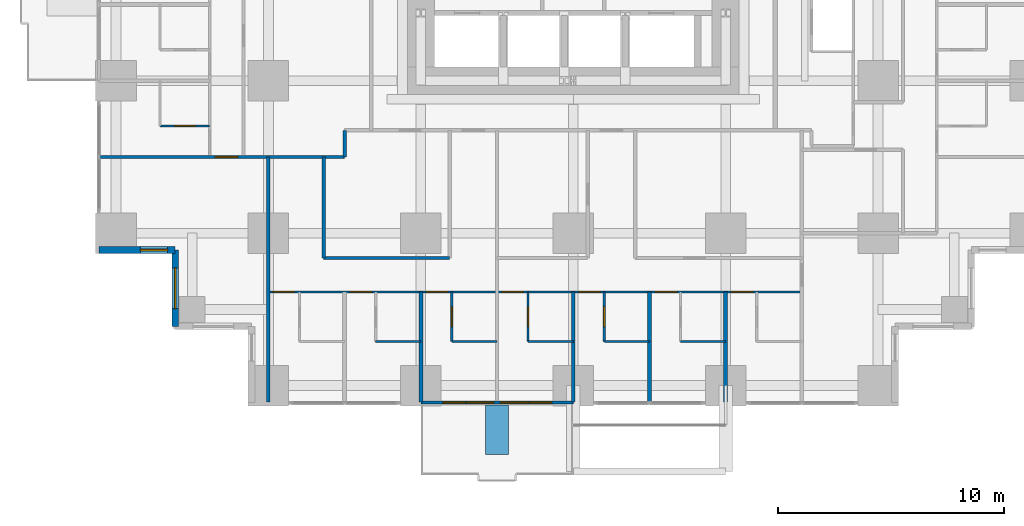
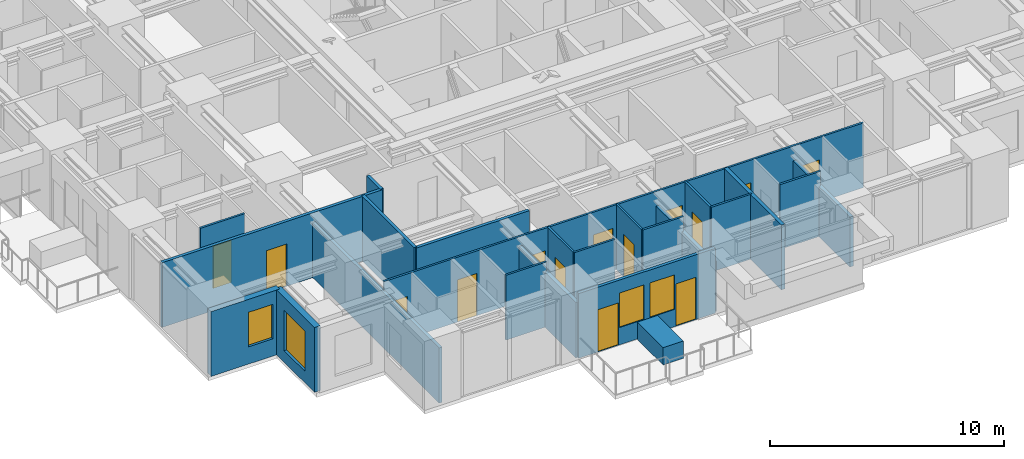
# One storey, part 8 of 15: 23 walls, 14 doors, 4 windows, 18 openings.
"""IFC4 building model written with IfcOpenShell, lengths in metres."""

from ifc_helpers import new_model, si_unit, direction, frame, frame_2d, origin, place, context, subcontext, project, spatial, rectangle, extrude, material, layer, layer_set, type_object, element, fill, save


model = new_model("IFC4")

# Units and contexts
model_context = context("Model", 3, precision=1e-05, world=origin(), true_north=direction((0.0, 1.0)))
body_context = subcontext(model_context, "Body", "Model", "MODEL_VIEW")
ifc_project = project(units=[si_unit("LENGTHUNIT", "METRE"), si_unit("AREAUNIT", "SQUARE_METRE"), si_unit("VOLUMEUNIT", "CUBIC_METRE"), si_unit("PLANEANGLEUNIT", "RADIAN"), si_unit("MASSUNIT", "GRAM", prefix="KILO")], contexts=[model_context])

# Site, building, storey
site_placement = place(None, origin())
site = spatial("IfcSite", under=ifc_project, at=site_placement, CompositionType="ELEMENT")
building_placement = place(site_placement, origin())
building = spatial("IfcBuilding", under=site, at=building_placement, Name="Nyansa Garden Tower", CompositionType="ELEMENT")
storey_placement = place(building_placement, frame((0.0, 0.0, 61.199951171875)))
storey = spatial("IfcBuildingStorey", under=building, at=storey_placement, Name="L16", CompositionType="ELEMENT", Elevation=61.199951171875)

# Walls
ifc_material_1 = material(Name="Dense blockwork, plastered both sides, 55 dB", Category="masonry")
ifc_layer_1 = layer(ifc_material_1, 0.175048828125)
ifc_layer_set_1 = layer_set([ifc_layer_1], Name="Acoustic party wall PW175")
wall_type_1 = type_object("IfcWallType", Name="Acoustic party wall PW175", PredefinedType="PARTITIONING", material=ifc_layer_set_1)
wall_1_placement = place(storey_placement, frame((13.5, -0.73388671875, 0.0), z_axis=(0.0, 0.0, 1.0), x_axis=(0.0, 1.0, 0.0)))
element("IfcWall", 1, at=wall_1_placement, inside=storey, type_object=wall_type_1, Name="Party wall", PredefinedType="PARTITIONING", context=body_context, shape_type="SweptSolid", body=[
    extrude(rectangle(XDim=4.8837890625, YDim=0.175048828125, at=frame_2d((2.44189453125, 0.0))), origin(), (0.0, 0.0, 1.0), 2.876953125),
])
wall_2_placement = place(storey_placement, frame((20.25, -0.73388671875, 0.0), z_axis=(0.0, 0.0, 1.0), x_axis=(0.0, 1.0, 0.0)))
element("IfcWall", 2, at=wall_2_placement, inside=storey, type_object=wall_type_1, Name="Party wall", PredefinedType="PARTITIONING", context=body_context, shape_type="SweptSolid", body=[
    extrude(rectangle(XDim=4.8837890625, YDim=0.175048828125, at=frame_2d((2.44189453125, 0.0))), origin(), (0.0, 0.0, 1.0), 2.610107421875),
])
wall_3_placement = place(storey_placement, frame((23.625, -0.73388671875, 0.0), z_axis=(0.0, 0.0, 1.0), x_axis=(0.0, 1.0, 0.0)))
element("IfcWall", 3, at=wall_3_placement, inside=storey, type_object=wall_type_1, Name="Party wall", PredefinedType="PARTITIONING", context=body_context, shape_type="SweptSolid", body=[
    extrude(rectangle(XDim=4.8837890625, YDim=0.175048828125, at=frame_2d((2.44189453125, 0.0))), origin(), (0.0, 0.0, 1.0), 3.375),
])
wall_4_placement = place(storey_placement, frame((27.0, -0.73388671875, 0.0), z_axis=(0.0, 0.0, 1.0), x_axis=(0.0, 1.0, 0.0)))
element("IfcWall", 4, at=wall_4_placement, inside=storey, type_object=wall_type_1, Name="Party wall", PredefinedType="PARTITIONING", context=body_context, shape_type="SweptSolid", body=[
    extrude(rectangle(XDim=4.8837890625, YDim=0.175048828125, at=frame_2d((2.44189453125, 0.0))), origin(), (0.0, 0.0, 1.0), 2.610107421875),
])

# Wall, openings, doors, windows
ifc_material_2 = material(Name="Black aluminium framed glazed screen", Category="aluminium")
ifc_layer_2 = layer(ifc_material_2, 0.14990234375)
ifc_layer_set_2 = layer_set([ifc_layer_2], Name="Balcony screen wall BW150")
wall_type_2 = type_object("IfcWallType", Name="Balcony screen wall BW150", PredefinedType="SOLIDWALL", material=ifc_layer_set_2)
wall_5_placement = place(storey_placement, frame((20.25, -0.75, 0.0), z_axis=(0.0, 0.0, 1.0), x_axis=(-1.0, 0.0, 0.0)))
wall_5 = element("IfcWall", 5, at=wall_5_placement, inside=storey, type_object=wall_type_2, Name="Glazed screen wall L16 S", PredefinedType="SOLIDWALL", context=body_context, shape_type="SweptSolid", body=[
    extrude(rectangle(XDim=6.75, YDim=0.14990234375, at=frame_2d((3.375, 0.0))), origin(), (0.0, 0.0, 1.0), 3.375),
])
opening_1_placement = place(wall_5_placement, frame((0.96240234375, 0.0, 0.0)))
opening_1 = element("IfcOpeningElement", 6, at=opening_1_placement, cuts=wall_5, Name="Opening D20", PredefinedType="OPENING", context=body_context, shape_type="SweptSolid", body=[
    extrude(rectangle(XDim=1.0, YDim=2.199951171875, at=frame_2d((0.5, 1.10009765625))), frame((0.0, 0.0849609375, 0.0), z_axis=(0.0, -1.0, 0.0), x_axis=(1.0, 0.0, 0.0)), (0.0, 0.0, 1.0), 0.169921875),
])
opening_2_placement = place(wall_5_placement, frame((2.02490234375, 0.0, 0.89990234375)))
opening_2 = element("IfcOpeningElement", 7, at=opening_2_placement, cuts=wall_5, Name="Opening W6", PredefinedType="OPENING", context=body_context, shape_type="SweptSolid", body=[
    extrude(rectangle(XDim=1.199951171875, YDim=1.800048828125, at=frame_2d((0.60009765625, 0.89990234375))), frame((0.0, 0.0849609375, 0.0), z_axis=(0.0, -1.0, 0.0), x_axis=(1.0, 0.0, 0.0)), (0.0, 0.0, 1.0), 0.169921875),
])
opening_3_placement = place(wall_5_placement, frame((4.78759765625, 0.0, 0.0)))
opening_3 = element("IfcOpeningElement", 8, at=opening_3_placement, cuts=wall_5, Name="Opening D20", PredefinedType="OPENING", context=body_context, shape_type="SweptSolid", body=[
    extrude(rectangle(XDim=1.0, YDim=2.199951171875, at=frame_2d((0.5, 1.10009765625))), frame((0.0, 0.0849609375, 0.0), z_axis=(0.0, -1.0, 0.0), x_axis=(1.0, 0.0, 0.0)), (0.0, 0.0, 1.0), 0.169921875),
])
opening_4_placement = place(wall_5_placement, frame((3.52490234375, 0.0, 0.89990234375)))
opening_4 = element("IfcOpeningElement", 9, at=opening_4_placement, cuts=wall_5, Name="Opening W6", PredefinedType="OPENING", context=body_context, shape_type="SweptSolid", body=[
    extrude(rectangle(XDim=1.199951171875, YDim=1.800048828125, at=frame_2d((0.60009765625, 0.89990234375))), frame((0.0, 0.0849609375, 0.0), z_axis=(0.0, -1.0, 0.0), x_axis=(1.0, 0.0, 0.0)), (0.0, 0.0, 1.0), 0.169921875),
])
ifc_material_3 = material(Name="Black aluminium framed glazed door", Category="aluminium")
door_type_1 = type_object("IfcDoorType", Name="Balcony door D20 1000x2200", OperationType="NOTDEFINED", PredefinedType="DOOR", material=ifc_material_3)
door_1_placement = place(opening_1_placement, origin())
door_1 = element("IfcDoor", 10, at=door_1_placement, inside=storey, type_object=door_type_1, Name="Balcony door L16", OperationType="SINGLE_SWING_LEFT", OverallHeight=2.199951171875, OverallWidth=1.0, PredefinedType="DOOR", context=body_context, shape_type="SweptSolid", body=[
    extrude(rectangle(XDim=1.0, YDim=2.199951171875, at=frame_2d((0.5, 1.10009765625))), frame((0.0, 0.02490234375, 0.0), z_axis=(0.0, -1.0, 0.0), x_axis=(1.0, 0.0, 0.0)), (0.0, 0.0, 1.0), 0.050048828125),
])
fill(opening_1, door_1)
door_2_placement = place(opening_3_placement, origin())
door_2 = element("IfcDoor", 11, at=door_2_placement, inside=storey, type_object=door_type_1, Name="Balcony door L16", OperationType="SINGLE_SWING_RIGHT", OverallHeight=2.199951171875, OverallWidth=1.0, PredefinedType="DOOR", context=body_context, shape_type="SweptSolid", body=[
    extrude(rectangle(XDim=1.0, YDim=2.199951171875, at=frame_2d((0.5, 1.10009765625))), frame((0.0, 0.02490234375, 0.0), z_axis=(0.0, -1.0, 0.0), x_axis=(1.0, 0.0, 0.0)), (0.0, 0.0, 1.0), 0.050048828125),
])
fill(opening_3, door_2)
ifc_material_4 = material(Name="Black aluminium frame, dark tinted double glazing", Category="aluminium")
window_type_1 = type_object("IfcWindowType", Name="Balcony window W6 1200x1800", PartitioningType="SINGLE_PANEL", PredefinedType="WINDOW", material=ifc_material_4)
window_1_placement = place(opening_2_placement, origin())
window_1 = element("IfcWindow", 12, at=window_1_placement, inside=storey, type_object=window_type_1, Name="Window L16", OverallHeight=1.800048828125, OverallWidth=1.199951171875, PartitioningType="SINGLE_PANEL", PredefinedType="WINDOW", context=body_context, shape_type="SweptSolid", body=[
    extrude(rectangle(XDim=1.199951171875, YDim=1.800048828125, at=frame_2d((0.60009765625, 0.89990234375))), frame((0.0, 0.030029296875, 0.0), z_axis=(0.0, -1.0, 0.0), x_axis=(1.0, 0.0, 0.0)), (0.0, 0.0, 1.0), 0.06005859375),
])
fill(opening_2, window_1)
window_2_placement = place(opening_4_placement, origin())
window_2 = element("IfcWindow", 13, at=window_2_placement, inside=storey, type_object=window_type_1, Name="Window L16", OverallHeight=1.800048828125, OverallWidth=1.199951171875, PartitioningType="SINGLE_PANEL", PredefinedType="WINDOW", context=body_context, shape_type="SweptSolid", body=[
    extrude(rectangle(XDim=1.199951171875, YDim=1.800048828125, at=frame_2d((0.60009765625, 0.89990234375))), frame((0.0, 0.030029296875, 0.0), z_axis=(0.0, -1.0, 0.0), x_axis=(1.0, 0.0, 0.0)), (0.0, 0.0, 1.0), 0.06005859375),
])
fill(opening_4, window_2)

# Wall, opening, door
ifc_material_5 = material(Name="Blockwork, plastered both sides", Category="masonry")
ifc_layer_3 = layer(ifc_material_5, 0.14990234375)
ifc_layer_set_3 = layer_set([ifc_layer_3], Name="Partition PW150")
wall_type_3 = type_object("IfcWallType", Name="Partition PW150", PredefinedType="PARTITIONING", material=ifc_layer_set_3)
wall_6_placement = place(storey_placement, frame((-0.73388671875, 10.125, 0.0), z_axis=(0.0, 0.0, 1.0), x_axis=(1.0, 0.0, 0.0)))
wall_6 = element("IfcWall", 14, at=wall_6_placement, inside=storey, type_object=wall_type_3, Name="Partition", PredefinedType="PARTITIONING", context=body_context, shape_type="SweptSolid", body=[
    extrude(rectangle(XDim=10.85888671875, YDim=0.14990234375, at=frame_2d((5.429443359375, 0.0))), origin(), (0.0, 0.0, 1.0), 3.375),
])
opening_5_placement = place(wall_6_placement, frame((5.134033203125, 0.0, 0.0)))
opening_5 = element("IfcOpeningElement", 15, at=opening_5_placement, cuts=wall_6, Name="Opening D03", PredefinedType="OPENING", context=body_context, shape_type="SweptSolid", body=[
    extrude(rectangle(XDim=1.0, YDim=2.199951171875, at=frame_2d((0.5, 1.10009765625))), frame((0.0, 0.0849609375, 0.0), z_axis=(0.0, -1.0, 0.0), x_axis=(1.0, 0.0, 0.0)), (0.0, 0.0, 1.0), 0.169921875),
])
ifc_material_6 = material(Name="Timber flush door, 60 minute fire resisting", Category="wood")
door_type_2 = type_object("IfcDoorType", Name="Cluster entrance door D03 1000x2200", OperationType="SINGLE_SWING_LEFT", PredefinedType="DOOR", material=ifc_material_6)
door_3_placement = place(opening_5_placement, origin())
door_3 = element("IfcDoor", 16, at=door_3_placement, inside=storey, type_object=door_type_2, Name="Door L16-017", OperationType="SINGLE_SWING_LEFT", OverallHeight=2.199951171875, OverallWidth=1.0, PredefinedType="DOOR", context=body_context, shape_type="SweptSolid", body=[
    extrude(rectangle(XDim=1.0, YDim=2.199951171875, at=frame_2d((0.5, 1.10009765625))), frame((0.0, 0.02490234375, 0.0), z_axis=(0.0, -1.0, 0.0), x_axis=(1.0, 0.0, 0.0)), (0.0, 0.0, 1.0), 0.050048828125),
])
fill(opening_5, door_3)

# Walls
wall_7_placement = place(storey_placement, frame((6.75, -0.73388671875, 0.0), z_axis=(0.0, 0.0, 1.0), x_axis=(0.0, 1.0, 0.0)))
element("IfcWall", 17, at=wall_7_placement, inside=storey, type_object=wall_type_3, Name="Partition", PredefinedType="PARTITIONING", context=body_context, shape_type="SweptSolid", body=[
    extrude(rectangle(XDim=10.85888671875, YDim=0.14990234375, at=frame_2d((5.429443359375, 0.0))), origin(), (0.0, 0.0, 1.0), 2.876953125),
])
wall_8_placement = place(storey_placement, frame((9.199951171875, 5.64990234375, 0.0), z_axis=(0.0, 0.0, 1.0), x_axis=(0.0, 1.0, 0.0)))
element("IfcWall", 18, at=wall_8_placement, inside=storey, type_object=wall_type_3, Name="Partition", PredefinedType="PARTITIONING", context=body_context, shape_type="SweptSolid", body=[
    extrude(rectangle(XDim=4.47509765625, YDim=0.14990234375, at=frame_2d((2.237548828125, 0.0))), origin(), (0.0, 0.0, 1.0), 3.375),
])
wall_9_placement = place(storey_placement, frame((9.199951171875, 5.64990234375, 0.0), z_axis=(0.0, 0.0, 1.0), x_axis=(1.0, 0.0, 0.0)))
element("IfcWall", 19, at=wall_9_placement, inside=storey, type_object=wall_type_3, Name="Partition", PredefinedType="PARTITIONING", context=body_context, shape_type="SweptSolid", body=[
    extrude(rectangle(XDim=5.574951171875, YDim=0.14990234375, at=frame_2d((2.78759765625, 0.0))), origin(), (0.0, 0.0, 1.0), 3.375),
])
wall_10_placement = place(storey_placement, frame((10.125, 10.125, 0.0), z_axis=(0.0, 0.0, 1.0), x_axis=(0.0, 1.0, 0.0)))
element("IfcWall", 20, at=wall_10_placement, inside=storey, type_object=wall_type_3, Name="Partition", PredefinedType="PARTITIONING", context=body_context, shape_type="SweptSolid", body=[
    extrude(rectangle(XDim=1.175048828125, YDim=0.14990234375, at=frame_2d((0.58740234375, 0.0))), origin(), (0.0, 0.0, 1.0), 3.375),
])

# Wall, opening, window
ifc_material_7 = material(Name="Turquoise glazed tile on concrete blockwork", Category="masonry")
ifc_layer_4 = layer(ifc_material_7, 0.300048828125)
ifc_layer_set_4 = layer_set([ifc_layer_4], Name="Tiled corner wall TW300")
wall_type_4 = type_object("IfcWallType", Name="Tiled corner wall TW300", PredefinedType="SOLIDWALL", material=ifc_layer_set_4)
wall_11_placement = place(storey_placement, frame((-0.75, 6.0, 0.0), z_axis=(0.0, 0.0, 1.0), x_axis=(1.0, 0.0, 0.0)))
wall_11 = element("IfcWall", 21, at=wall_11_placement, inside=storey, type_object=wall_type_4, Name="Tiled corner wall L16", PredefinedType="SOLIDWALL", context=body_context, shape_type="SweptSolid", body=[
    extrude(rectangle(XDim=3.375, YDim=0.300048828125, at=frame_2d((1.6875, 0.0))), origin(), (0.0, 0.0, 1.0), 3.375),
])
opening_6_placement = place(wall_11_placement, frame((1.83251953125, 0.0, 0.89990234375)))
opening_6 = element("IfcOpeningElement", 22, at=opening_6_placement, cuts=wall_11, Name="Opening W4", PredefinedType="OPENING", context=body_context, shape_type="SweptSolid", body=[
    extrude(rectangle(XDim=1.199951171875, YDim=1.800048828125, at=frame_2d((0.60009765625, 0.89990234375))), frame((0.0, 0.159912109375, 0.0), z_axis=(0.0, -1.0, 0.0), x_axis=(1.0, 0.0, 0.0)), (0.0, 0.0, 1.0), 0.320068359375),
])
ifc_material_8 = material(Name="Black aluminium frame, dark tinted double glazing", Category="aluminium")
window_type_2 = type_object("IfcWindowType", Name="Window W4 1200x1800", PartitioningType="SINGLE_PANEL", PredefinedType="WINDOW", material=ifc_material_8)
window_3_placement = place(opening_6_placement, origin())
window_3 = element("IfcWindow", 23, at=window_3_placement, inside=storey, type_object=window_type_2, Name="Corner window L16", OverallHeight=1.800048828125, OverallWidth=1.199951171875, PartitioningType="SINGLE_PANEL", PredefinedType="WINDOW", context=body_context, shape_type="SweptSolid", body=[
    extrude(rectangle(XDim=1.199951171875, YDim=1.800048828125, at=frame_2d((0.60009765625, 0.89990234375))), frame((0.0, 0.030029296875, 0.0), z_axis=(0.0, -1.0, 0.0), x_axis=(1.0, 0.0, 0.0)), (0.0, 0.0, 1.0), 0.06005859375),
])
fill(opening_6, window_3)

wall_12_placement = place(storey_placement, frame((2.625, 6.0, 0.0), z_axis=(0.0, 0.0, 1.0), x_axis=(0.0, -1.0, 0.0)))
wall_12 = element("IfcWall", 24, at=wall_12_placement, inside=storey, type_object=wall_type_4, Name="Tiled corner wall L16", PredefinedType="SOLIDWALL", context=body_context, shape_type="SweptSolid", body=[
    extrude(rectangle(XDim=3.375, YDim=0.300048828125, at=frame_2d((1.6875, 0.0))), origin(), (0.0, 0.0, 1.0), 3.375),
])
opening_7_placement = place(wall_12_placement, frame((0.78759765625, 0.0, 0.60009765625)))
opening_7 = element("IfcOpeningElement", 25, at=opening_7_placement, cuts=wall_12, Name="Opening W2", PredefinedType="OPENING", context=body_context, shape_type="SweptSolid", body=[
    extrude(rectangle(XDim=1.800048828125, YDim=2.10009765625, at=frame_2d((0.89990234375, 1.050048828125))), frame((0.0, 0.159912109375, 0.0), z_axis=(0.0, -1.0, 0.0), x_axis=(1.0, 0.0, 0.0)), (0.0, 0.0, 1.0), 0.320068359375),
])
ifc_material_9 = material(Name="Black aluminium frame, dark tinted double glazing", Category="aluminium")
window_type_3 = type_object("IfcWindowType", Name="Window W2 1800x2100", PartitioningType="SINGLE_PANEL", PredefinedType="WINDOW", material=ifc_material_9)
window_4_placement = place(opening_7_placement, origin())
window_4 = element("IfcWindow", 26, at=window_4_placement, inside=storey, type_object=window_type_3, Name="Corner window L16", OverallHeight=2.10009765625, OverallWidth=1.800048828125, PartitioningType="SINGLE_PANEL", PredefinedType="WINDOW", context=body_context, shape_type="SweptSolid", body=[
    extrude(rectangle(XDim=1.800048828125, YDim=2.10009765625, at=frame_2d((0.89990234375, 1.050048828125))), frame((0.0, 0.030029296875, 0.0), z_axis=(0.0, -1.0, 0.0), x_axis=(1.0, 0.0, 0.0)), (0.0, 0.0, 1.0), 0.06005859375),
])
fill(opening_7, window_4)

# Wall
ifc_material_10 = material(Name="Concrete C40/50 planter, waterproofed", Category="concrete")
ifc_layer_5 = layer(ifc_material_10, 1.0)
ifc_layer_set_5 = layer_set([ifc_layer_5], Name="Tree planter TP1")
wall_type_5 = type_object("IfcWallType", Name="Tree planter TP1", PredefinedType="USERDEFINED", material=ifc_layer_set_5)
wall_13_placement = place(storey_placement, frame((16.875, -0.85009765625, 0.0), z_axis=(0.0, 0.0, 1.0), x_axis=(0.0, -1.0, 0.0)))
element("IfcWall", 27, at=wall_13_placement, inside=storey, type_object=wall_type_5, Name="Tree planter L16", ObjectType="TREE PLANTER", PredefinedType="USERDEFINED", context=body_context, shape_type="SweptSolid", body=[
    extrude(rectangle(XDim=2.199951171875, YDim=1.0, at=frame_2d((1.10009765625, 0.0))), origin(), (0.0, 0.0, 1.0), 0.900146484375),
])

# Wall, opening, door
ifc_material_11 = material(Name="Moisture resistant board on steel studs, tiled", Category="steel")
ifc_layer_6 = layer(ifc_material_11, 0.10009765625)
ifc_layer_set_6 = layer_set([ifc_layer_6], Name="Wet wall PW100")
wall_type_6 = type_object("IfcWallType", Name="Wet wall PW100", PredefinedType="PARTITIONING", material=ifc_layer_set_6)
wall_14_placement = place(storey_placement, frame((1.949951171875, 11.5, 0.0), z_axis=(0.0, 0.0, 1.0), x_axis=(1.0, 0.0, 0.0)))
wall_14 = element("IfcWall", 28, at=wall_14_placement, inside=storey, type_object=wall_type_6, Name="Wet wall", PredefinedType="PARTITIONING", context=body_context, shape_type="SweptSolid", body=[
    extrude(rectangle(XDim=2.199951171875, YDim=0.10009765625, at=frame_2d((1.10009765625, 0.0))), origin(), (0.0, 0.0, 1.0), 3.375),
])
opening_8_placement = place(wall_14_placement, frame((0.64990234375, 0.0, 0.0)))
opening_8 = element("IfcOpeningElement", 29, at=opening_8_placement, cuts=wall_14, Name="Opening D02", PredefinedType="OPENING", context=body_context, shape_type="SweptSolid", body=[
    extrude(rectangle(XDim=0.89990234375, YDim=2.199951171875, at=frame_2d((0.449951171875, 1.10009765625))), frame((0.0, 0.06005859375, 0.0), z_axis=(0.0, -1.0, 0.0), x_axis=(1.0, 0.0, 0.0)), (0.0, 0.0, 1.0), 0.1201171875),
])
ifc_material_12 = material(Name="Timber flush door", Category="wood")
door_type_3 = type_object("IfcDoorType", Name="En-suite door D02 900x2200", OperationType="SINGLE_SWING_RIGHT", PredefinedType="DOOR", material=ifc_material_12)
door_4_placement = place(opening_8_placement, origin())
door_4 = element("IfcDoor", 30, at=door_4_placement, inside=storey, type_object=door_type_3, Name="Door L16-070", OperationType="SINGLE_SWING_RIGHT", OverallHeight=2.199951171875, OverallWidth=0.89990234375, PredefinedType="DOOR", context=body_context, shape_type="SweptSolid", body=[
    extrude(rectangle(XDim=0.89990234375, YDim=2.199951171875, at=frame_2d((0.449951171875, 1.10009765625))), frame((0.0, 0.02490234375, 0.0), z_axis=(0.0, -1.0, 0.0), x_axis=(1.0, 0.0, 0.0)), (0.0, 0.0, 1.0), 0.050048828125),
])
fill(opening_8, door_4)

# Wall, openings, doors
wall_15_placement = place(storey_placement, frame((6.75, 4.14990234375, 0.0), z_axis=(0.0, 0.0, 1.0), x_axis=(1.0, 0.0, 0.0)))
wall_15 = element("IfcWall", 31, at=wall_15_placement, inside=storey, type_object=wall_type_6, Name="Wet wall", PredefinedType="PARTITIONING", context=body_context, shape_type="SweptSolid", body=[
    extrude(rectangle(XDim=23.625, YDim=0.10009765625, at=frame_2d((11.8125, 0.0))), origin(), (0.0, 0.0, 1.0), 3.375),
])
opening_9_placement = place(wall_15_placement, frame((0.199951171875, 0.0, 0.0)))
opening_9 = element("IfcOpeningElement", 32, at=opening_9_placement, cuts=wall_15, Name="Opening D01", PredefinedType="OPENING", context=body_context, shape_type="SweptSolid", body=[
    extrude(rectangle(XDim=0.949951171875, YDim=2.199951171875, at=frame_2d((0.47509765625, 1.10009765625))), frame((0.0, 0.06005859375, 0.0), z_axis=(0.0, -1.0, 0.0), x_axis=(1.0, 0.0, 0.0)), (0.0, 0.0, 1.0), 0.1201171875),
])
opening_10_placement = place(wall_15_placement, frame((3.625, 0.0, 0.0)))
opening_10 = element("IfcOpeningElement", 33, at=opening_10_placement, cuts=wall_15, Name="Opening D01", PredefinedType="OPENING", context=body_context, shape_type="SweptSolid", body=[
    extrude(rectangle(XDim=0.949951171875, YDim=2.199951171875, at=frame_2d((0.47509765625, 1.10009765625))), frame((0.0, 0.06005859375, 0.0), z_axis=(0.0, -1.0, 0.0), x_axis=(1.0, 0.0, 0.0)), (0.0, 0.0, 1.0), 0.1201171875),
])
opening_11_placement = place(wall_15_placement, frame((7.0, 0.0, 0.0)))
opening_11 = element("IfcOpeningElement", 34, at=opening_11_placement, cuts=wall_15, Name="Opening D01", PredefinedType="OPENING", context=body_context, shape_type="SweptSolid", body=[
    extrude(rectangle(XDim=0.949951171875, YDim=2.199951171875, at=frame_2d((0.47509765625, 1.10009765625))), frame((0.0, 0.06005859375, 0.0), z_axis=(0.0, -1.0, 0.0), x_axis=(1.0, 0.0, 0.0)), (0.0, 0.0, 1.0), 0.1201171875),
])
opening_12_placement = place(wall_15_placement, frame((10.324951171875, 0.0, 0.0)))
opening_12 = element("IfcOpeningElement", 35, at=opening_12_placement, cuts=wall_15, Name="Opening D14", PredefinedType="OPENING", context=body_context, shape_type="SweptSolid", body=[
    extrude(rectangle(XDim=0.949951171875, YDim=2.199951171875, at=frame_2d((0.47509765625, 1.10009765625))), frame((0.0, 0.06005859375, 0.0), z_axis=(0.0, -1.0, 0.0), x_axis=(1.0, 0.0, 0.0)), (0.0, 0.0, 1.0), 0.1201171875),
])
opening_13_placement = place(wall_15_placement, frame((13.75, 0.0, 0.0)))
opening_13 = element("IfcOpeningElement", 36, at=opening_13_placement, cuts=wall_15, Name="Opening D14", PredefinedType="OPENING", context=body_context, shape_type="SweptSolid", body=[
    extrude(rectangle(XDim=0.949951171875, YDim=2.199951171875, at=frame_2d((0.47509765625, 1.10009765625))), frame((0.0, 0.06005859375, 0.0), z_axis=(0.0, -1.0, 0.0), x_axis=(1.0, 0.0, 0.0)), (0.0, 0.0, 1.0), 0.1201171875),
])
opening_14_placement = place(wall_15_placement, frame((17.125, 0.0, 0.0)))
opening_14 = element("IfcOpeningElement", 37, at=opening_14_placement, cuts=wall_15, Name="Opening D14", PredefinedType="OPENING", context=body_context, shape_type="SweptSolid", body=[
    extrude(rectangle(XDim=0.949951171875, YDim=2.199951171875, at=frame_2d((0.47509765625, 1.10009765625))), frame((0.0, 0.06005859375, 0.0), z_axis=(0.0, -1.0, 0.0), x_axis=(1.0, 0.0, 0.0)), (0.0, 0.0, 1.0), 0.1201171875),
])
opening_15_placement = place(wall_15_placement, frame((20.5, 0.0, 0.0)))
opening_15 = element("IfcOpeningElement", 38, at=opening_15_placement, cuts=wall_15, Name="Opening D14", PredefinedType="OPENING", context=body_context, shape_type="SweptSolid", body=[
    extrude(rectangle(XDim=0.949951171875, YDim=2.199951171875, at=frame_2d((0.47509765625, 1.10009765625))), frame((0.0, 0.06005859375, 0.0), z_axis=(0.0, -1.0, 0.0), x_axis=(1.0, 0.0, 0.0)), (0.0, 0.0, 1.0), 0.1201171875),
])
ifc_material_13 = material(Name="Timber flush door, 30 minute fire resisting", Category="wood")
door_type_4 = type_object("IfcDoorType", Name="Bedroom door D01 950x2200", OperationType="SINGLE_SWING_LEFT", PredefinedType="DOOR", material=ifc_material_13)
door_5_placement = place(opening_9_placement, origin())
door_5 = element("IfcDoor", 39, at=door_5_placement, inside=storey, type_object=door_type_4, Name="Door L16-018", OperationType="SINGLE_SWING_LEFT", OverallHeight=2.199951171875, OverallWidth=0.949951171875, PredefinedType="DOOR", context=body_context, shape_type="SweptSolid", body=[
    extrude(rectangle(XDim=0.949951171875, YDim=2.199951171875, at=frame_2d((0.47509765625, 1.10009765625))), frame((0.0, 0.02490234375, 0.0), z_axis=(0.0, -1.0, 0.0), x_axis=(1.0, 0.0, 0.0)), (0.0, 0.0, 1.0), 0.050048828125),
])
fill(opening_9, door_5)
door_6_placement = place(opening_10_placement, origin())
door_6 = element("IfcDoor", 40, at=door_6_placement, inside=storey, type_object=door_type_4, Name="Door L16-020", OperationType="SINGLE_SWING_LEFT", OverallHeight=2.199951171875, OverallWidth=0.949951171875, PredefinedType="DOOR", context=body_context, shape_type="SweptSolid", body=[
    extrude(rectangle(XDim=0.949951171875, YDim=2.199951171875, at=frame_2d((0.47509765625, 1.10009765625))), frame((0.0, 0.02490234375, 0.0), z_axis=(0.0, -1.0, 0.0), x_axis=(1.0, 0.0, 0.0)), (0.0, 0.0, 1.0), 0.050048828125),
])
fill(opening_10, door_6)
door_7_placement = place(opening_11_placement, origin())
door_7 = element("IfcDoor", 41, at=door_7_placement, inside=storey, type_object=door_type_4, Name="Door L16-022", OperationType="SINGLE_SWING_LEFT", OverallHeight=2.199951171875, OverallWidth=0.949951171875, PredefinedType="DOOR", context=body_context, shape_type="SweptSolid", body=[
    extrude(rectangle(XDim=0.949951171875, YDim=2.199951171875, at=frame_2d((0.47509765625, 1.10009765625))), frame((0.0, 0.02490234375, 0.0), z_axis=(0.0, -1.0, 0.0), x_axis=(1.0, 0.0, 0.0)), (0.0, 0.0, 1.0), 0.050048828125),
])
fill(opening_11, door_7)
ifc_material_14 = material(Name="Timber flush door, 60 minute fire resisting, self-closing", Category="wood")
door_type_5 = type_object("IfcDoorType", Name="Studio entrance door D14 950x2200", OperationType="SINGLE_SWING_LEFT", PredefinedType="DOOR", material=ifc_material_14)
door_8_placement = place(opening_12_placement, origin())
door_8 = element("IfcDoor", 42, at=door_8_placement, inside=storey, type_object=door_type_5, Name="Door L16-025", OperationType="SINGLE_SWING_LEFT", OverallHeight=2.199951171875, OverallWidth=0.949951171875, PredefinedType="DOOR", context=body_context, shape_type="SweptSolid", body=[
    extrude(rectangle(XDim=0.949951171875, YDim=2.199951171875, at=frame_2d((0.47509765625, 1.10009765625))), frame((0.0, 0.02490234375, 0.0), z_axis=(0.0, -1.0, 0.0), x_axis=(1.0, 0.0, 0.0)), (0.0, 0.0, 1.0), 0.050048828125),
])
fill(opening_12, door_8)
door_9_placement = place(opening_13_placement, origin())
door_9 = element("IfcDoor", 43, at=door_9_placement, inside=storey, type_object=door_type_5, Name="Door L16-027", OperationType="SINGLE_SWING_LEFT", OverallHeight=2.199951171875, OverallWidth=0.949951171875, PredefinedType="DOOR", context=body_context, shape_type="SweptSolid", body=[
    extrude(rectangle(XDim=0.949951171875, YDim=2.199951171875, at=frame_2d((0.47509765625, 1.10009765625))), frame((0.0, 0.02490234375, 0.0), z_axis=(0.0, -1.0, 0.0), x_axis=(1.0, 0.0, 0.0)), (0.0, 0.0, 1.0), 0.050048828125),
])
fill(opening_13, door_9)
door_10_placement = place(opening_14_placement, origin())
door_10 = element("IfcDoor", 44, at=door_10_placement, inside=storey, type_object=door_type_5, Name="Door L16-029", OperationType="SINGLE_SWING_LEFT", OverallHeight=2.199951171875, OverallWidth=0.949951171875, PredefinedType="DOOR", context=body_context, shape_type="SweptSolid", body=[
    extrude(rectangle(XDim=0.949951171875, YDim=2.199951171875, at=frame_2d((0.47509765625, 1.10009765625))), frame((0.0, 0.02490234375, 0.0), z_axis=(0.0, -1.0, 0.0), x_axis=(1.0, 0.0, 0.0)), (0.0, 0.0, 1.0), 0.050048828125),
])
fill(opening_14, door_10)
door_11_placement = place(opening_15_placement, origin())
door_11 = element("IfcDoor", 45, at=door_11_placement, inside=storey, type_object=door_type_5, Name="Door L16-031", OperationType="SINGLE_SWING_LEFT", OverallHeight=2.199951171875, OverallWidth=0.949951171875, PredefinedType="DOOR", context=body_context, shape_type="SweptSolid", body=[
    extrude(rectangle(XDim=0.949951171875, YDim=2.199951171875, at=frame_2d((0.47509765625, 1.10009765625))), frame((0.0, 0.02490234375, 0.0), z_axis=(0.0, -1.0, 0.0), x_axis=(1.0, 0.0, 0.0)), (0.0, 0.0, 1.0), 0.050048828125),
])
fill(opening_15, door_11)

# Wall
wall_16_placement = place(storey_placement, frame((11.5, 1.949951171875, 0.0), z_axis=(0.0, 0.0, 1.0), x_axis=(1.0, 0.0, 0.0)))
element("IfcWall", 46, at=wall_16_placement, inside=storey, type_object=wall_type_6, Name="Wet wall", PredefinedType="PARTITIONING", context=body_context, shape_type="SweptSolid", body=[
    extrude(rectangle(XDim=2.0, YDim=0.10009765625, at=frame_2d((1.0, 0.0))), origin(), (0.0, 0.0, 1.0), 3.375),
])

# Wall, opening, door
wall_17_placement = place(storey_placement, frame((14.875, 1.949951171875, 0.0), z_axis=(0.0, 0.0, 1.0), x_axis=(0.0, 1.0, 0.0)))
wall_17 = element("IfcWall", 47, at=wall_17_placement, inside=storey, type_object=wall_type_6, Name="Wet wall", PredefinedType="PARTITIONING", context=body_context, shape_type="SweptSolid", body=[
    extrude(rectangle(XDim=2.199951171875, YDim=0.10009765625, at=frame_2d((1.10009765625, 0.0))), origin(), (0.0, 0.0, 1.0), 3.375),
])
opening_16_placement = place(wall_17_placement, frame((0.64990234375, 0.0, 0.0)))
opening_16 = element("IfcOpeningElement", 48, at=opening_16_placement, cuts=wall_17, Name="Opening D02", PredefinedType="OPENING", context=body_context, shape_type="SweptSolid", body=[
    extrude(rectangle(XDim=0.89990234375, YDim=2.199951171875, at=frame_2d((0.449951171875, 1.10009765625))), frame((0.0, 0.06005859375, 0.0), z_axis=(0.0, -1.0, 0.0), x_axis=(1.0, 0.0, 0.0)), (0.0, 0.0, 1.0), 0.1201171875),
])
door_12_placement = place(opening_16_placement, origin())
door_12 = element("IfcDoor", 49, at=door_12_placement, inside=storey, type_object=door_type_3, Name="Door L16-023", OperationType="SINGLE_SWING_RIGHT", OverallHeight=2.199951171875, OverallWidth=0.89990234375, PredefinedType="DOOR", context=body_context, shape_type="SweptSolid", body=[
    extrude(rectangle(XDim=0.89990234375, YDim=2.199951171875, at=frame_2d((0.449951171875, 1.10009765625))), frame((0.0, 0.02490234375, 0.0), z_axis=(0.0, -1.0, 0.0), x_axis=(1.0, 0.0, 0.0)), (0.0, 0.0, 1.0), 0.050048828125),
])
fill(opening_16, door_12)

# Wall
wall_18_placement = place(storey_placement, frame((14.875, 1.949951171875, 0.0), z_axis=(0.0, 0.0, 1.0), x_axis=(1.0, 0.0, 0.0)))
element("IfcWall", 50, at=wall_18_placement, inside=storey, type_object=wall_type_6, Name="Wet wall", PredefinedType="PARTITIONING", context=body_context, shape_type="SweptSolid", body=[
    extrude(rectangle(XDim=2.0, YDim=0.10009765625, at=frame_2d((1.0, 0.0))), origin(), (0.0, 0.0, 1.0), 3.375),
])

# Wall, opening, door
wall_19_placement = place(storey_placement, frame((18.25, 1.949951171875, 0.0), z_axis=(0.0, 0.0, 1.0), x_axis=(0.0, 1.0, 0.0)))
wall_19 = element("IfcWall", 51, at=wall_19_placement, inside=storey, type_object=wall_type_6, Name="Wet wall", PredefinedType="PARTITIONING", context=body_context, shape_type="SweptSolid", body=[
    extrude(rectangle(XDim=2.199951171875, YDim=0.10009765625, at=frame_2d((1.10009765625, 0.0))), origin(), (0.0, 0.0, 1.0), 3.375),
])
opening_17_placement = place(wall_19_placement, frame((0.64990234375, 0.0, 0.0)))
opening_17 = element("IfcOpeningElement", 52, at=opening_17_placement, cuts=wall_19, Name="Opening D02", PredefinedType="OPENING", context=body_context, shape_type="SweptSolid", body=[
    extrude(rectangle(XDim=0.89990234375, YDim=2.199951171875, at=frame_2d((0.449951171875, 1.10009765625))), frame((0.0, 0.06005859375, 0.0), z_axis=(0.0, -1.0, 0.0), x_axis=(1.0, 0.0, 0.0)), (0.0, 0.0, 1.0), 0.1201171875),
])
door_13_placement = place(opening_17_placement, origin())
door_13 = element("IfcDoor", 53, at=door_13_placement, inside=storey, type_object=door_type_3, Name="Door L16-026", OperationType="SINGLE_SWING_RIGHT", OverallHeight=2.199951171875, OverallWidth=0.89990234375, PredefinedType="DOOR", context=body_context, shape_type="SweptSolid", body=[
    extrude(rectangle(XDim=0.89990234375, YDim=2.199951171875, at=frame_2d((0.449951171875, 1.10009765625))), frame((0.0, 0.02490234375, 0.0), z_axis=(0.0, -1.0, 0.0), x_axis=(1.0, 0.0, 0.0)), (0.0, 0.0, 1.0), 0.050048828125),
])
fill(opening_17, door_13)

# Wall
wall_20_placement = place(storey_placement, frame((18.25, 1.949951171875, 0.0), z_axis=(0.0, 0.0, 1.0), x_axis=(1.0, 0.0, 0.0)))
element("IfcWall", 54, at=wall_20_placement, inside=storey, type_object=wall_type_6, Name="Wet wall", PredefinedType="PARTITIONING", context=body_context, shape_type="SweptSolid", body=[
    extrude(rectangle(XDim=2.0, YDim=0.10009765625, at=frame_2d((1.0, 0.0))), origin(), (0.0, 0.0, 1.0), 3.375),
])

# Wall, opening, door
wall_21_placement = place(storey_placement, frame((21.625, 1.949951171875, 0.0), z_axis=(0.0, 0.0, 1.0), x_axis=(0.0, 1.0, 0.0)))
wall_21 = element("IfcWall", 55, at=wall_21_placement, inside=storey, type_object=wall_type_6, Name="Wet wall", PredefinedType="PARTITIONING", context=body_context, shape_type="SweptSolid", body=[
    extrude(rectangle(XDim=2.199951171875, YDim=0.10009765625, at=frame_2d((1.10009765625, 0.0))), origin(), (0.0, 0.0, 1.0), 3.375),
])
opening_18_placement = place(wall_21_placement, frame((0.64990234375, 0.0, 0.0)))
opening_18 = element("IfcOpeningElement", 56, at=opening_18_placement, cuts=wall_21, Name="Opening D02", PredefinedType="OPENING", context=body_context, shape_type="SweptSolid", body=[
    extrude(rectangle(XDim=0.89990234375, YDim=2.199951171875, at=frame_2d((0.449951171875, 1.10009765625))), frame((0.0, 0.06005859375, 0.0), z_axis=(0.0, -1.0, 0.0), x_axis=(1.0, 0.0, 0.0)), (0.0, 0.0, 1.0), 0.1201171875),
])
door_14_placement = place(opening_18_placement, origin())
door_14 = element("IfcDoor", 57, at=door_14_placement, inside=storey, type_object=door_type_3, Name="Door L16-028", OperationType="SINGLE_SWING_RIGHT", OverallHeight=2.199951171875, OverallWidth=0.89990234375, PredefinedType="DOOR", context=body_context, shape_type="SweptSolid", body=[
    extrude(rectangle(XDim=0.89990234375, YDim=2.199951171875, at=frame_2d((0.449951171875, 1.10009765625))), frame((0.0, 0.02490234375, 0.0), z_axis=(0.0, -1.0, 0.0), x_axis=(1.0, 0.0, 0.0)), (0.0, 0.0, 1.0), 0.050048828125),
])
fill(opening_18, door_14)

# Walls
for number, where, z_axis, x_axis, name in (
    (58, (21.625, 1.949951171875, 0.0), (0.0, 0.0, 1.0), (1.0, 0.0, 0.0), "Wet wall"),
    (59, (25.0, 1.949951171875, 0.0), (0.0, 0.0, 1.0), (1.0, 0.0, 0.0), "Wet wall"),
):
    element("IfcWall", number, at=place(storey_placement, frame(where, z_axis=z_axis, x_axis=x_axis)), inside=storey, type_object=wall_type_6, Name=name, PredefinedType="PARTITIONING", context=body_context, shape_type="SweptSolid", body=[
        extrude(rectangle(XDim=2.0, YDim=0.10009765625, at=frame_2d((1.0, 0.0))), origin(), (0.0, 0.0, 1.0), 3.375),
    ])

save(model, "model.ifc")
